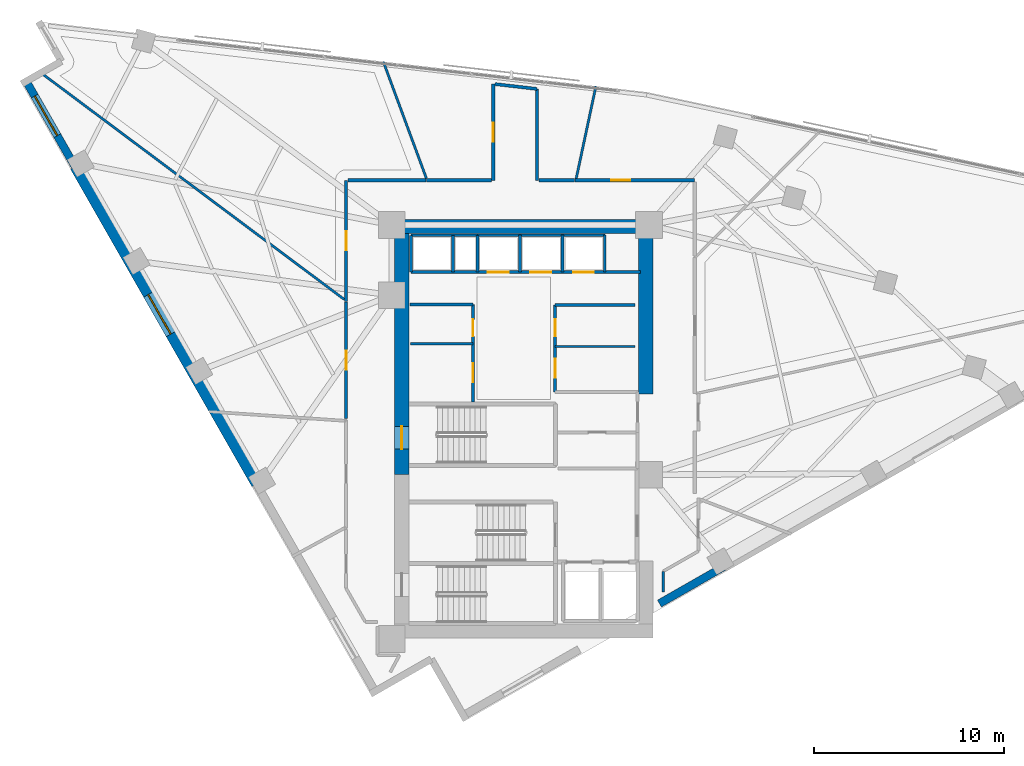
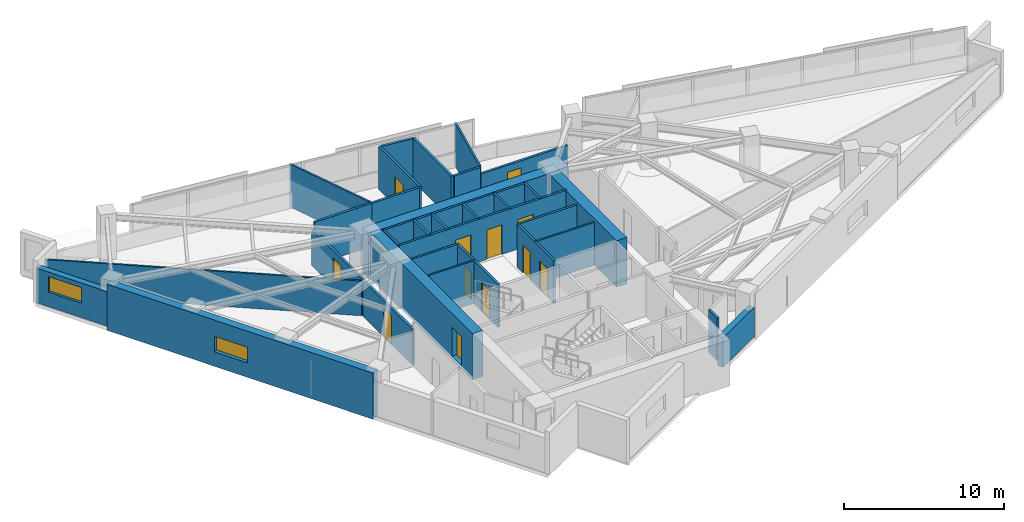
# One storey, part 10 of 13: 34 walls, 12 doors, 2 windows, 14 openings.
"""IFC4 building model written with IfcOpenShell, lengths in metres."""

from ifc_helpers import new_model, si_unit, direction, frame, frame_2d, origin, place, context, subcontext, project, spatial, rectangle, extrude, material, layer, layer_set, type_object, element, fill, save


model = new_model("IFC4")

# Units and contexts
model_context = context("Model", 3, precision=1e-05, world=origin(), true_north=direction((0.0, 1.0)))
body_context = subcontext(model_context, "Body", "Model", "MODEL_VIEW")
ifc_project = project(units=[si_unit("LENGTHUNIT", "METRE"), si_unit("AREAUNIT", "SQUARE_METRE"), si_unit("VOLUMEUNIT", "CUBIC_METRE"), si_unit("PLANEANGLEUNIT", "RADIAN"), si_unit("MASSUNIT", "GRAM", prefix="KILO")], contexts=[model_context])

# Site, building, storey
site_placement = place(None, origin())
site = spatial("IfcSite", under=ifc_project, at=site_placement, CompositionType="ELEMENT")
building_placement = place(site_placement, origin())
building = spatial("IfcBuilding", under=site, at=building_placement, Name="Narakoshi Arena Tower", CompositionType="ELEMENT")
storey_placement = place(building_placement, frame((0.0, 0.0, 222.02001953125)))
storey = spatial("IfcBuildingStorey", under=building, at=storey_placement, Name="L60", CompositionType="ELEMENT", Elevation=222.02001953125)

# Wall, opening, door
ifc_material_1 = material(Name="Concrete C50/60", Category="concrete")
ifc_layer_1 = layer(ifc_material_1, 0.75)
ifc_layer_set_1 = layer_set([ifc_layer_1], Name="Concrete C50/60")
wall_type_1 = type_object("IfcWallType", Name="WL-CORE-750", PredefinedType="SHEAR", material=ifc_layer_set_1)
wall_1_placement = place(storey_placement, frame((72.52490234375, 43.35009765625, -0.260009765625), z_axis=(0.0, 0.0, 1.0), x_axis=(0.0, 1.0, 0.0)))
wall_1 = element("IfcWall", 1, at=wall_1_placement, inside=storey, type_object=wall_type_1, Name="L60 Main Core Shear Wall CW-MN-W", PredefinedType="SHEAR", context=body_context, shape_type="SweptSolid", body=[
    extrude(rectangle(XDim=12.699951171875, YDim=0.75, at=frame_2d((6.35009765625, 0.0))), origin(), (0.0, 0.0, 1.0), 3.52001953125),
])
opening_1_placement = place(wall_1_placement, frame((1.35009765625, 0.0, 0.260009765625)))
opening_1 = element("IfcOpeningElement", 2, at=opening_1_placement, cuts=wall_1, Name="Opening D-03", PredefinedType="OPENING", context=body_context, shape_type="SweptSolid", body=[
    extrude(rectangle(XDim=1.199951171875, YDim=2.199951171875, at=frame_2d((0.60009765625, 1.10009765625))), frame((0.0, 0.385009765625, 0.0), z_axis=(0.0, -1.0, 0.0), x_axis=(1.0, 0.0, 0.0)), (0.0, 0.0, 1.0), 0.77001953125),
])
ifc_material_2 = material(Name="Painted galvanized steel", Category="steel")
door_type_1 = type_object("IfcDoorType", Name="DR-STR-1200", OperationType="NOTDEFINED", PredefinedType="USERDEFINED", material=ifc_material_2)
door_1_placement = place(opening_1_placement, frame((1.199951171875, 0.0, 0.0), z_axis=(0.0, 0.0, 1.0), x_axis=(-1.0, 0.0, 0.0)))
door_1 = element("IfcDoor", 3, at=door_1_placement, inside=storey, type_object=door_type_1, Name="DR-L60-006", ObjectType="EXITDOOR", OperationType="SINGLE_SWING_LEFT", OverallHeight=2.199951171875, OverallWidth=1.199951171875, PredefinedType="USERDEFINED", context=body_context, shape_type="SweptSolid", body=[
    extrude(rectangle(XDim=1.199951171875, YDim=2.199951171875, at=frame_2d((0.60009765625, 1.10009765625))), frame((0.0, 0.02490234375, 0.0), z_axis=(0.0, -1.0, 0.0), x_axis=(1.0, 0.0, 0.0)), (0.0, 0.0, 1.0), 0.050048828125),
])
fill(opening_1, door_1)

# Walls
wall_2_placement = place(storey_placement, frame((72.0, 56.425048828125, -0.260009765625), z_axis=(0.0, 0.0, 1.0), x_axis=(1.0, 0.0, 0.0)))
element("IfcWall", 4, at=wall_2_placement, inside=storey, type_object=wall_type_1, Name="L60 Main Core Shear Wall CW-MN-N", PredefinedType="SHEAR", context=body_context, shape_type="SweptSolid", body=[
    extrude(rectangle(XDim=13.75, YDim=0.75, at=frame_2d((6.875, 0.0))), origin(), (0.0, 0.0, 1.0), 3.52001953125),
])
wall_3_placement = place(storey_placement, frame((85.375, 47.60009765625, -0.260009765625), z_axis=(0.0, 0.0, 1.0), x_axis=(0.0, 1.0, 0.0)))
element("IfcWall", 5, at=wall_3_placement, inside=storey, type_object=wall_type_1, Name="L60 Main Core Shear Wall CW-MN-E", PredefinedType="SHEAR", context=body_context, shape_type="SweptSolid", body=[
    extrude(rectangle(XDim=8.449951171875, YDim=0.75, at=frame_2d((4.22509765625, 0.0))), origin(), (0.0, 0.0, 1.0), 3.52001953125),
])

# Wall, opening, door
ifc_material_3 = material(Name="Gypsum plasterboard fire-rated partition")
ifc_layer_2 = layer(ifc_material_3, 0.1650390625)
ifc_layer_set_2 = layer_set([ifc_layer_2], Name="Gypsum plasterboard fire-rated partition")
wall_type_2 = type_object("IfcWallType", Name="WL-CORR-165", PredefinedType="PARTITIONING", material=ifc_layer_set_2)
wall_4_placement = place(storey_placement, frame((87.955322265625, 58.85546875, 0.0), z_axis=(0.0, 0.0, 1.0), x_axis=(-1.0, 0.0, 0.0)))
wall_4 = element("IfcWall", 6, at=wall_4_placement, inside=storey, type_object=wall_type_2, Name="L60 Corridor Partition 06-1", PredefinedType="PARTITIONING", context=body_context, shape_type="SweptSolid", body=[
    extrude(rectangle(XDim=6.2958984375, YDim=0.1650390625, at=frame_2d((3.14794921875, 0.0))), origin(), (0.0, 0.0, 1.0), 2.744873046875),
])
opening_2_placement = place(wall_4_placement, frame((3.38232421875, 0.0, 0.0)))
opening_2 = element("IfcOpeningElement", 7, at=opening_2_placement, cuts=wall_4, Name="Opening D-06", PredefinedType="OPENING", context=body_context, shape_type="SweptSolid", body=[
    extrude(rectangle(XDim=1.0, YDim=2.199951171875, at=frame_2d((0.5, 1.10009765625))), frame((0.0, 0.092529296875, 0.0), z_axis=(0.0, -1.0, 0.0), x_axis=(1.0, 0.0, 0.0)), (0.0, 0.0, 1.0), 0.18505859375),
])
ifc_material_4 = material(Name="Stained oak solid-core timber", Category="wood")
door_type_2 = type_object("IfcDoorType", Name="DR-OFF-1000", OperationType="NOTDEFINED", PredefinedType="DOOR", material=ifc_material_4)
door_2_placement = place(opening_2_placement, frame((1.0, 0.0, 0.0), z_axis=(0.0, 0.0, 1.0), x_axis=(-1.0, 0.0, 0.0)))
door_2 = element("IfcDoor", 8, at=door_2_placement, inside=storey, type_object=door_type_2, Name="DR-L60-021", OperationType="SINGLE_SWING_LEFT", OverallHeight=2.199951171875, OverallWidth=1.0, PredefinedType="DOOR", context=body_context, shape_type="SweptSolid", body=[
    extrude(rectangle(XDim=1.0, YDim=2.199951171875, at=frame_2d((0.5, 1.10009765625))), frame((0.0, 0.02490234375, 0.0), z_axis=(0.0, -1.0, 0.0), x_axis=(1.0, 0.0, 0.0)), (0.0, 0.0, 1.0), 0.050048828125),
])
fill(opening_2, door_2)

wall_5_placement = place(storey_placement, frame((77.35009765625, 63.930908203125, 0.0), z_axis=(0.0, 0.0, 1.0), x_axis=(0.0, -1.0, 0.0)))
wall_5 = element("IfcWall", 9, at=wall_5_placement, inside=storey, type_object=wall_type_2, Name="L60 Corridor Partition 07-1", PredefinedType="PARTITIONING", context=body_context, shape_type="SweptSolid", body=[
    extrude(rectangle(XDim=5.075439453125, YDim=0.1650390625, at=frame_2d((2.53759765625, 0.0))), origin(), (0.0, 0.0, 1.0), 3.260009765625),
])
opening_3_placement = place(wall_5_placement, frame((2.03759765625, 0.0, 0.0)))
opening_3 = element("IfcOpeningElement", 10, at=opening_3_placement, cuts=wall_5, Name="Opening D-06", PredefinedType="OPENING", context=body_context, shape_type="SweptSolid", body=[
    extrude(rectangle(XDim=1.0, YDim=2.199951171875, at=frame_2d((0.5, 1.10009765625))), frame((0.0, 0.092529296875, 0.0), z_axis=(0.0, -1.0, 0.0), x_axis=(1.0, 0.0, 0.0)), (0.0, 0.0, 1.0), 0.18505859375),
])
door_3_placement = place(opening_3_placement, frame((1.0, 0.0, 0.0), z_axis=(0.0, 0.0, 1.0), x_axis=(-1.0, 0.0, 0.0)))
door_3 = element("IfcDoor", 11, at=door_3_placement, inside=storey, type_object=door_type_2, Name="DR-L60-022", OperationType="SINGLE_SWING_RIGHT", OverallHeight=2.199951171875, OverallWidth=1.0, PredefinedType="DOOR", context=body_context, shape_type="SweptSolid", body=[
    extrude(rectangle(XDim=1.0, YDim=2.199951171875, at=frame_2d((0.5, 1.10009765625))), frame((0.0, 0.02490234375, 0.0), z_axis=(0.0, -1.0, 0.0), x_axis=(1.0, 0.0, 0.0)), (0.0, 0.0, 1.0), 0.050048828125),
])
fill(opening_3, door_3)

# Walls
wall_6_placement = place(storey_placement, frame((79.64990234375, 58.85546875, 0.0), z_axis=(0.0, 0.0, 1.0), x_axis=(0.0, 1.0, 0.0)))
element("IfcWall", 12, at=wall_6_placement, inside=storey, type_object=wall_type_2, Name="L60 Corridor Partition 07-2", PredefinedType="PARTITIONING", context=body_context, shape_type="SweptSolid", body=[
    extrude(rectangle(XDim=4.80908203125, YDim=0.1650390625, at=frame_2d((2.404541015625, 0.0))), origin(), (0.0, 0.0, 1.0), 3.260009765625),
])
wall_7_placement = place(storey_placement, frame((77.255615234375, 58.85546875, 0.0), z_axis=(0.0, 0.0, 1.0), x_axis=(-1.0, 0.0, 0.0)))
element("IfcWall", 13, at=wall_7_placement, inside=storey, type_object=wall_type_2, Name="L60 Corridor Partition 07-3", PredefinedType="PARTITIONING", context=body_context, shape_type="SweptSolid", body=[
    extrude(rectangle(XDim=3.426513671875, YDim=0.1650390625, at=frame_2d((1.71337890625, 0.0))), origin(), (0.0, 0.0, 1.0), 3.260009765625),
])
wall_8_placement = place(storey_placement, frame((79.64990234375, 63.66455078125, 0.0), z_axis=(0.0, 0.0, 1.0), x_axis=(-0.993362136032, 0.115028981987, 0.0)))
element("IfcWall", 14, at=wall_8_placement, inside=storey, type_object=wall_type_2, Name="L60 Corridor Partition 07-4", PredefinedType="PARTITIONING", context=body_context, shape_type="SweptSolid", body=[
    extrude(rectangle(XDim=2.219970703125, YDim=0.1650390625, at=frame_2d((1.10986328125, 0.0))), origin(), (0.0, 0.0, 1.0), 3.260009765625),
])
wall_9_placement = place(storey_placement, frame((81.635009765625, 58.85546875, 0.0), z_axis=(0.0, 0.0, 1.0), x_axis=(-1.0, 0.0, 0.0)))
element("IfcWall", 15, at=wall_9_placement, inside=storey, type_object=wall_type_2, Name="L60 Corridor Partition 07-5", PredefinedType="PARTITIONING", context=body_context, shape_type="SweptSolid", body=[
    extrude(rectangle(XDim=1.890625, YDim=0.1650390625, at=frame_2d((0.9453125, 0.0))), origin(), (0.0, 0.0, 1.0), 3.260009765625),
])

# Wall, opening, door
wall_10_placement = place(storey_placement, frame((69.594482421875, 58.85546875, 0.0), z_axis=(0.0, 0.0, 1.0), x_axis=(0.0, -1.0, 0.0)))
wall_10 = element("IfcWall", 16, at=wall_10_placement, inside=storey, type_object=wall_type_2, Name="L60 Corridor Partition 08-1", PredefinedType="PARTITIONING", context=body_context, shape_type="SweptSolid", body=[
    extrude(rectangle(XDim=6.386962890625, YDim=0.1650390625, at=frame_2d((3.193359375, 0.0))), origin(), (0.0, 0.0, 1.0), 2.744873046875),
])
opening_4_placement = place(wall_10_placement, frame((2.693603515625, 0.0, 0.0)))
opening_4 = element("IfcOpeningElement", 17, at=opening_4_placement, cuts=wall_10, Name="Opening D-06", PredefinedType="OPENING", context=body_context, shape_type="SweptSolid", body=[
    extrude(rectangle(XDim=1.0, YDim=2.199951171875, at=frame_2d((0.5, 1.10009765625))), frame((0.0, 0.092529296875, 0.0), z_axis=(0.0, -1.0, 0.0), x_axis=(1.0, 0.0, 0.0)), (0.0, 0.0, 1.0), 0.18505859375),
])
door_4_placement = place(opening_4_placement, frame((1.0, 0.0, 0.0), z_axis=(0.0, 0.0, 1.0), x_axis=(-1.0, 0.0, 0.0)))
door_4 = element("IfcDoor", 18, at=door_4_placement, inside=storey, type_object=door_type_2, Name="DR-L60-023", OperationType="SINGLE_SWING_LEFT", OverallHeight=2.199951171875, OverallWidth=1.0, PredefinedType="DOOR", context=body_context, shape_type="SweptSolid", body=[
    extrude(rectangle(XDim=1.0, YDim=2.199951171875, at=frame_2d((0.5, 1.10009765625))), frame((0.0, 0.02490234375, 0.0), z_axis=(0.0, -1.0, 0.0), x_axis=(1.0, 0.0, 0.0)), (0.0, 0.0, 1.0), 0.050048828125),
])
fill(opening_4, door_4)

# Wall
wall_11_placement = place(storey_placement, frame((73.8037109375, 58.85546875, 0.0), z_axis=(0.0, 0.0, 1.0), x_axis=(-1.0, 0.0, 0.0)))
element("IfcWall", 19, at=wall_11_placement, inside=storey, type_object=wall_type_2, Name="L60 Corridor Partition 08-2", PredefinedType="PARTITIONING", context=body_context, shape_type="SweptSolid", body=[
    extrude(rectangle(XDim=4.114501953125, YDim=0.1650390625, at=frame_2d((2.05712890625, 0.0))), origin(), (0.0, 0.0, 1.0), 3.260009765625),
])

# Wall, opening, door
wall_12_placement = place(storey_placement, frame((69.594482421875, 52.438720703125, 0.0), z_axis=(0.0, 0.0, 1.0), x_axis=(0.0, -1.0, 0.0)))
wall_12 = element("IfcWall", 20, at=wall_12_placement, inside=storey, type_object=wall_type_2, Name="L60 Corridor Partition 09-1", PredefinedType="PARTITIONING", context=body_context, shape_type="SweptSolid", body=[
    extrude(rectangle(XDim=6.1318359375, YDim=0.1650390625, at=frame_2d((3.06591796875, 0.0))), origin(), (0.0, 0.0, 1.0), 2.744873046875),
])
opening_5_placement = place(wall_12_placement, frame((2.56591796875, 0.0, 0.0)))
opening_5 = element("IfcOpeningElement", 21, at=opening_5_placement, cuts=wall_12, Name="Opening D-06", PredefinedType="OPENING", context=body_context, shape_type="SweptSolid", body=[
    extrude(rectangle(XDim=1.0, YDim=2.199951171875, at=frame_2d((0.5, 1.10009765625))), frame((0.0, 0.092529296875, 0.0), z_axis=(0.0, -1.0, 0.0), x_axis=(1.0, 0.0, 0.0)), (0.0, 0.0, 1.0), 0.18505859375),
])
door_5_placement = place(opening_5_placement, frame((1.0, 0.0, 0.0), z_axis=(0.0, 0.0, 1.0), x_axis=(-1.0, 0.0, 0.0)))
door_5 = element("IfcDoor", 22, at=door_5_placement, inside=storey, type_object=door_type_2, Name="DR-L60-024", OperationType="SINGLE_SWING_RIGHT", OverallHeight=2.199951171875, OverallWidth=1.0, PredefinedType="DOOR", context=body_context, shape_type="SweptSolid", body=[
    extrude(rectangle(XDim=1.0, YDim=2.199951171875, at=frame_2d((0.5, 1.10009765625))), frame((0.0, 0.02490234375, 0.0), z_axis=(0.0, -1.0, 0.0), x_axis=(1.0, 0.0, 0.0)), (0.0, 0.0, 1.0), 0.050048828125),
])
fill(opening_5, door_5)

# Wall, opening, window
ifc_layer_3 = layer(ifc_material_1, 0.550048828125)
ifc_layer_set_3 = layer_set([ifc_layer_3], Name="Concrete C50/60")
wall_type_3 = type_object("IfcWallType", Name="WL-LEG-550", PredefinedType="SHEAR", material=ifc_layer_set_3)
wall_13_placement = place(storey_placement, frame((55.3251953125, 59.5703125, -0.260009765625), z_axis=(0.0, 0.0, 1.0), x_axis=(0.496211351597, -0.868201759124, 0.0)))
wall_13 = element("IfcWall", 23, at=wall_13_placement, inside=storey, type_object=wall_type_3, Name="L60 Architectural Concrete Structural Wall LEGB-2", PredefinedType="SHEAR", context=body_context, shape_type="SweptSolid", body=[
    extrude(rectangle(XDim=19.242919921875, YDim=0.550048828125, at=frame_2d((9.62158203125, 0.0))), origin(), (0.0, 0.0, 1.0), 3.52001953125),
])
opening_6_placement = place(wall_13_placement, frame((7.7568359375, 0.0, 1.10009765625)))
opening_6 = element("IfcOpeningElement", 24, at=opening_6_placement, cuts=wall_13, Name="Opening WN-04", PredefinedType="OPENING", context=body_context, shape_type="SweptSolid", body=[
    extrude(rectangle(XDim=2.39990234375, YDim=1.199951171875, at=frame_2d((1.199951171875, 0.60009765625))), frame((0.0, 0.284912109375, 0.0), z_axis=(0.0, -1.0, 0.0), x_axis=(1.0, 0.0, 0.0)), (0.0, 0.0, 1.0), 0.570068359375),
])
ifc_material_5 = material(Name="Bronze-tinted low-E laminated glass", Category="glass")
window_type = type_object("IfcWindowType", Name="WIN-SLT-24x12", PartitioningType="SINGLE_PANEL", PredefinedType="WINDOW", material=ifc_material_5)
window_1_placement = place(opening_6_placement, origin())
window_1 = element("IfcWindow", 25, at=window_1_placement, inside=storey, type_object=window_type, Name="L60 LEGB2 Horizontal Slot Window 1", OverallHeight=1.199951171875, OverallWidth=2.39990234375, PartitioningType="SINGLE_PANEL", PredefinedType="WINDOW", context=body_context, shape_type="SweptSolid", body=[
    extrude(rectangle(XDim=2.39990234375, YDim=1.199951171875, at=frame_2d((1.199951171875, 0.60009765625))), frame((0.0, 0.030029296875, 0.0), z_axis=(0.0, -1.0, 0.0), x_axis=(1.0, 0.0, 0.0)), (0.0, 0.0, 1.0), 0.06005859375),
])
fill(opening_6, window_1)

# Walls
ifc_layer_4 = layer(ifc_material_3, 0.125)
ifc_layer_set_4 = layer_set([ifc_layer_4], Name="Gypsum plasterboard fire-rated partition")
wall_type_4 = type_object("IfcWallType", Name="WL-PART-125", PredefinedType="PARTITIONING", material=ifc_layer_set_4)
wall_14_placement = place(storey_placement, frame((73.0, 50.25, 0.0), z_axis=(0.0, 0.0, 1.0), x_axis=(1.0, 0.0, 0.0)))
element("IfcWall", 26, at=wall_14_placement, inside=storey, type_object=wall_type_4, Name="L60 Core Wall RCL-LR-D2", PredefinedType="PARTITIONING", context=body_context, shape_type="SweptSolid", body=[
    extrude(rectangle(XDim=3.280029296875, YDim=0.125, at=frame_2d((1.64013671875, 0.0))), origin(), (0.0, 0.0, 1.0), 3.260009765625),
])
wall_15_placement = place(storey_placement, frame((80.60009765625, 50.10009765625, 0.0), z_axis=(0.0, 0.0, 1.0), x_axis=(1.0, 0.0, 0.0)))
element("IfcWall", 27, at=wall_15_placement, inside=storey, type_object=wall_type_4, Name="L60 Core Wall RCL-MR-D", PredefinedType="PARTITIONING", context=body_context, shape_type="SweptSolid", body=[
    extrude(rectangle(XDim=4.219970703125, YDim=0.125, at=frame_2d((2.10986328125, 0.0))), origin(), (0.0, 0.0, 1.0), 3.260009765625),
])
wall_16_placement = place(storey_placement, frame((81.71630859375, 58.949951171875, 0.0), z_axis=(0.0, 0.0, 1.0), x_axis=(0.208518764306, 0.978018366357, 0.0)))
element("IfcWall", 28, at=wall_16_placement, inside=storey, type_object=wall_type_4, Name="L60 Inter-Room Partition 06-07", PredefinedType="PARTITIONING", context=body_context, shape_type="SweptSolid", body=[
    extrude(rectangle(XDim=4.9677734375, YDim=0.125, at=frame_2d((2.48388671875, 0.0))), origin(), (0.0, 0.0, 1.0), 3.260009765625),
])
wall_17_placement = place(storey_placement, frame((73.8291015625, 58.9482421875, 0.0), z_axis=(0.0, 0.0, 1.0), x_axis=(-0.346213904372, 0.93815560139, 0.0)))
element("IfcWall", 29, at=wall_17_placement, inside=storey, type_object=wall_type_4, Name="L60 Inter-Room Partition 07-08", PredefinedType="PARTITIONING", context=body_context, shape_type="SweptSolid", body=[
    extrude(rectangle(XDim=6.562255859375, YDim=0.125, at=frame_2d((3.28125, 0.0))), origin(), (0.0, 0.0, 1.0), 3.260009765625),
])
wall_18_placement = place(storey_placement, frame((69.5, 52.583984375, 0.0), z_axis=(0.0, 0.0, 1.0), x_axis=(-0.801152350638, 0.598460450713, 0.0)))
element("IfcWall", 30, at=wall_18_placement, inside=storey, type_object=wall_type_4, Name="L60 Inter-Room Partition 08-09", PredefinedType="PARTITIONING", context=body_context, shape_type="SweptSolid", body=[
    extrude(rectangle(XDim=19.931884765625, YDim=0.125, at=frame_2d((9.9658203125, 0.0))), origin(), (0.0, 0.0, 1.0), 2.64501953125),
])
ifc_material_6 = material(Name="Precast concrete C45/55", Category="concrete")
ifc_layer_5 = layer(ifc_material_6, 0.419921875)
ifc_layer_set_5 = layer_set([ifc_layer_5], Name="Precast concrete C45/55")
wall_type_5 = type_object("IfcWallType", Name="WL-POD-420", PredefinedType="SOLIDWALL", material=ifc_layer_set_5)
wall_19_placement = place(storey_placement, frame((86.10009765625, 36.567626953125, 0.0), z_axis=(0.0, 0.0, 1.0), x_axis=(0.868192956745, 0.496226752461, 0.0)))
element("IfcWall", 31, at=wall_19_placement, inside=storey, type_object=wall_type_5, Name="L60 Architectural Concrete Facade Wall LEGA-2", PredefinedType="SOLIDWALL", context=body_context, shape_type="SweptSolid", body=[
    extrude(rectangle(XDim=3.89208984375, YDim=0.419921875, at=frame_2d((1.946044921875, 0.0))), origin(), (0.0, 0.0, 1.0), 2.244873046875),
])

# Wall, opening, window
wall_20_placement = place(storey_placement, frame((52.75439453125, 64.068359375, 0.0), z_axis=(0.0, 0.0, 1.0), x_axis=(0.496209984367, -0.868202540548, 0.0)))
wall_20 = element("IfcWall", 32, at=wall_20_placement, inside=storey, type_object=wall_type_5, Name="L60 Architectural Concrete Facade Wall LEGB-1", PredefinedType="SOLIDWALL", context=body_context, shape_type="SweptSolid", body=[
    extrude(rectangle(XDim=5.180908203125, YDim=0.419921875, at=frame_2d((2.59033203125, 0.0))), origin(), (0.0, 0.0, 1.0), 2.64501953125),
])
opening_7_placement = place(wall_20_placement, frame((0.89990234375, 0.0, 1.10009765625)))
opening_7 = element("IfcOpeningElement", 33, at=opening_7_placement, cuts=wall_20, Name="Opening WN-04", PredefinedType="OPENING", context=body_context, shape_type="SweptSolid", body=[
    extrude(rectangle(XDim=2.39990234375, YDim=1.199951171875, at=frame_2d((1.199951171875, 0.60009765625))), frame((0.0, 0.219970703125, 0.0), z_axis=(0.0, -1.0, 0.0), x_axis=(1.0, 0.0, 0.0)), (0.0, 0.0, 1.0), 0.43994140625),
])
window_2_placement = place(opening_7_placement, origin())
window_2 = element("IfcWindow", 34, at=window_2_placement, inside=storey, type_object=window_type, Name="L60 LEGB1 Horizontal Slot Window 1", OverallHeight=1.199951171875, OverallWidth=2.39990234375, PartitioningType="SINGLE_PANEL", PredefinedType="WINDOW", context=body_context, shape_type="SweptSolid", body=[
    extrude(rectangle(XDim=2.39990234375, YDim=1.199951171875, at=frame_2d((1.199951171875, 0.60009765625))), frame((0.0, 0.030029296875, 0.0), z_axis=(0.0, -1.0, 0.0), x_axis=(1.0, 0.0, 0.0)), (0.0, 0.0, 1.0), 0.06005859375),
])
fill(opening_7, window_2)

# Walls
ifc_material_7 = material(Name="Concrete C40/50", Category="concrete")
ifc_layer_6 = layer(ifc_material_7, 0.280029296875)
ifc_layer_set_6 = layer_set([ifc_layer_6], Name="Concrete C40/50")
wall_type_6 = type_object("IfcWallType", Name="WL-RISER-280", PredefinedType="PLUMBINGWALL", material=ifc_layer_set_6)
for number, where, z_axis, x_axis, name in (
    (35, (73.02001953125, 54.02001953125, 0.0), (0.0, 0.0, 1.0), (0.0, 1.0, 0.0), "L60 Core Wall OBS-W"),
    (36, (75.219970703125, 54.02001953125, 0.0), (0.0, 0.0, 1.0), (0.0, 1.0, 0.0), "L60 Core Wall OBS-M"),
):
    element("IfcWall", number, at=place(storey_placement, frame(where, z_axis=z_axis, x_axis=x_axis)), inside=storey, type_object=wall_type_6, Name=name, PredefinedType="PLUMBINGWALL", context=body_context, shape_type="SweptSolid", body=[
        extrude(rectangle(XDim=1.93994140625, YDim=0.14990234375, at=frame_2d((0.969970703125, 0.0))), origin(), (0.0, 0.0, 1.0), 3.260009765625),
    ])
for number, where, z_axis, x_axis, name in (
    (37, (78.75, 54.02001953125, 0.0), (0.0, 0.0, 1.0), (0.0, 1.0, 0.0), "L60 Core Wall HR-D1"),
    (38, (81.0, 54.02001953125, 0.0), (0.0, 0.0, 1.0), (0.0, 1.0, 0.0), "L60 Core Wall HR-D2"),
):
    element("IfcWall", number, at=place(storey_placement, frame(where, z_axis=z_axis, x_axis=x_axis)), inside=storey, type_object=wall_type_6, Name=name, PredefinedType="PLUMBINGWALL", context=body_context, shape_type="SweptSolid", body=[
        extrude(rectangle(XDim=1.9599609375, YDim=0.14990234375, at=frame_2d((0.97998046875, 0.0))), origin(), (0.0, 0.0, 1.0), 3.260009765625),
    ])

# Wall, openings, doors
ifc_layer_7 = layer(ifc_material_1, 0.35009765625)
ifc_layer_set_7 = layer_set([ifc_layer_7], Name="Concrete C50/60")
wall_type_7 = type_object("IfcWallType", Name="WL-SHAFT-350", PredefinedType="SOLIDWALL", material=ifc_layer_set_7)
wall_21_placement = place(storey_placement, frame((76.280029296875, 47.179931640625, 0.0), z_axis=(0.0, 0.0, 1.0), x_axis=(0.0, 1.0, 0.0)))
wall_21 = element("IfcWall", 39, at=wall_21_placement, inside=storey, type_object=wall_type_7, Name="L60 Core Wall LR-E", PredefinedType="SOLIDWALL", context=body_context, shape_type="SweptSolid", body=[
    extrude(rectangle(XDim=5.14013671875, YDim=0.159912109375, at=frame_2d((2.570068359375, 0.0))), origin(), (0.0, 0.0, 1.0), 3.260009765625),
])
opening_8_placement = place(wall_21_placement, frame((1.050048828125, 0.0, 0.0)))
opening_8 = element("IfcOpeningElement", 40, at=opening_8_placement, cuts=wall_21, Name="Opening D-06", PredefinedType="OPENING", context=body_context, shape_type="SweptSolid", body=[
    extrude(rectangle(XDim=1.0, YDim=2.199951171875, at=frame_2d((0.5, 1.10009765625))), frame((0.0, 0.08984375, 0.0), z_axis=(0.0, -1.0, 0.0), x_axis=(1.0, 0.0, 0.0)), (0.0, 0.0, 1.0), 0.179931640625),
])
opening_9_placement = place(wall_21_placement, frame((3.449951171875, 0.0, 0.0)))
opening_9 = element("IfcOpeningElement", 41, at=opening_9_placement, cuts=wall_21, Name="Opening D-08", PredefinedType="OPENING", context=body_context, shape_type="SweptSolid", body=[
    extrude(rectangle(XDim=0.89990234375, YDim=2.10009765625, at=frame_2d((0.449951171875, 1.050048828125))), frame((0.0, 0.08984375, 0.0), z_axis=(0.0, -1.0, 0.0), x_axis=(1.0, 0.0, 0.0)), (0.0, 0.0, 1.0), 0.179931640625),
])
door_6_placement = place(opening_8_placement, frame((1.0, 0.0, 0.0), z_axis=(0.0, 0.0, 1.0), x_axis=(-1.0, 0.0, 0.0)))
door_6 = element("IfcDoor", 42, at=door_6_placement, inside=storey, type_object=door_type_2, Name="DR-L60-009", OperationType="SINGLE_SWING_RIGHT", OverallHeight=2.199951171875, OverallWidth=1.0, PredefinedType="DOOR", context=body_context, shape_type="SweptSolid", body=[
    extrude(rectangle(XDim=1.0, YDim=2.199951171875, at=frame_2d((0.5, 1.10009765625))), frame((0.0, 0.02490234375, 0.0), z_axis=(0.0, -1.0, 0.0), x_axis=(1.0, 0.0, 0.0)), (0.0, 0.0, 1.0), 0.050048828125),
])
fill(opening_8, door_6)
ifc_material_8 = material(Name="Moisture-resistant laminate timber", Category="wood")
door_type_3 = type_object("IfcDoorType", Name="DR-WC-900", OperationType="NOTDEFINED", PredefinedType="DOOR", material=ifc_material_8)
door_7_placement = place(opening_9_placement, frame((0.89990234375, 0.0, 0.0), z_axis=(0.0, 0.0, 1.0), x_axis=(-1.0, 0.0, 0.0)))
door_7 = element("IfcDoor", 43, at=door_7_placement, inside=storey, type_object=door_type_3, Name="DR-L60-010", OperationType="SINGLE_SWING_LEFT", OverallHeight=2.10009765625, OverallWidth=0.89990234375, PredefinedType="DOOR", context=body_context, shape_type="SweptSolid", body=[
    extrude(rectangle(XDim=0.89990234375, YDim=2.10009765625, at=frame_2d((0.449951171875, 1.050048828125))), frame((0.0, 0.02490234375, 0.0), z_axis=(0.0, -1.0, 0.0), x_axis=(1.0, 0.0, 0.0)), (0.0, 0.0, 1.0), 0.050048828125),
])
fill(opening_9, door_7)

# Wall
wall_22_placement = place(storey_placement, frame((72.949951171875, 52.320068359375, 0.0), z_axis=(0.0, 0.0, 1.0), x_axis=(1.0, 0.0, 0.0)))
element("IfcWall", 44, at=wall_22_placement, inside=storey, type_object=wall_type_7, Name="L60 Core Wall LR-N", PredefinedType="SOLIDWALL", context=body_context, shape_type="SweptSolid", body=[
    extrude(rectangle(XDim=3.330078125, YDim=0.14990234375, at=frame_2d((1.6650390625, 0.0))), origin(), (0.0, 0.0, 1.0), 3.260009765625),
])

# Wall, openings, doors
wall_23_placement = place(storey_placement, frame((80.60009765625, 47.699951171875, 0.0), z_axis=(0.0, 0.0, 1.0), x_axis=(0.0, 1.0, 0.0)))
wall_23 = element("IfcWall", 45, at=wall_23_placement, inside=storey, type_object=wall_type_7, Name="L60 Core Wall MR-W", PredefinedType="SOLIDWALL", context=body_context, shape_type="SweptSolid", body=[
    extrude(rectangle(XDim=4.60009765625, YDim=0.159912109375, at=frame_2d((2.300048828125, 0.0))), origin(), (0.0, 0.0, 1.0), 3.260009765625),
])
opening_10_placement = place(wall_23_placement, frame((0.75, 0.0, 0.0)))
opening_10 = element("IfcOpeningElement", 46, at=opening_10_placement, cuts=wall_23, Name="Opening D-06", PredefinedType="OPENING", context=body_context, shape_type="SweptSolid", body=[
    extrude(rectangle(XDim=1.0, YDim=2.199951171875, at=frame_2d((0.5, 1.10009765625))), frame((0.0, 0.08984375, 0.0), z_axis=(0.0, -1.0, 0.0), x_axis=(1.0, 0.0, 0.0)), (0.0, 0.0, 1.0), 0.179931640625),
])
opening_11_placement = place(wall_23_placement, frame((2.949951171875, 0.0, 0.0)))
opening_11 = element("IfcOpeningElement", 47, at=opening_11_placement, cuts=wall_23, Name="Opening D-08", PredefinedType="OPENING", context=body_context, shape_type="SweptSolid", body=[
    extrude(rectangle(XDim=0.89990234375, YDim=2.10009765625, at=frame_2d((0.449951171875, 1.050048828125))), frame((0.0, 0.08984375, 0.0), z_axis=(0.0, -1.0, 0.0), x_axis=(1.0, 0.0, 0.0)), (0.0, 0.0, 1.0), 0.179931640625),
])
door_8_placement = place(opening_10_placement, origin())
door_8 = element("IfcDoor", 48, at=door_8_placement, inside=storey, type_object=door_type_2, Name="DR-L60-011", OperationType="SINGLE_SWING_RIGHT", OverallHeight=2.199951171875, OverallWidth=1.0, PredefinedType="DOOR", context=body_context, shape_type="SweptSolid", body=[
    extrude(rectangle(XDim=1.0, YDim=2.199951171875, at=frame_2d((0.5, 1.10009765625))), frame((0.0, 0.02490234375, 0.0), z_axis=(0.0, -1.0, 0.0), x_axis=(1.0, 0.0, 0.0)), (0.0, 0.0, 1.0), 0.050048828125),
])
fill(opening_10, door_8)
door_9_placement = place(opening_11_placement, origin())
door_9 = element("IfcDoor", 49, at=door_9_placement, inside=storey, type_object=door_type_3, Name="DR-L60-012", OperationType="SINGLE_SWING_LEFT", OverallHeight=2.10009765625, OverallWidth=0.89990234375, PredefinedType="DOOR", context=body_context, shape_type="SweptSolid", body=[
    extrude(rectangle(XDim=0.89990234375, YDim=2.10009765625, at=frame_2d((0.449951171875, 1.050048828125))), frame((0.0, 0.02490234375, 0.0), z_axis=(0.0, -1.0, 0.0), x_axis=(1.0, 0.0, 0.0)), (0.0, 0.0, 1.0), 0.050048828125),
])
fill(opening_11, door_9)

# Wall
wall_24_placement = place(storey_placement, frame((80.60009765625, 52.300048828125, 0.0), z_axis=(0.0, 0.0, 1.0), x_axis=(1.0, 0.0, 0.0)))
element("IfcWall", 50, at=wall_24_placement, inside=storey, type_object=wall_type_7, Name="L60 Core Wall MR-N", PredefinedType="SOLIDWALL", context=body_context, shape_type="SweptSolid", body=[
    extrude(rectangle(XDim=4.219970703125, YDim=0.159912109375, at=frame_2d((2.10986328125, 0.0))), origin(), (0.0, 0.0, 1.0), 3.260009765625),
])

# Wall, openings, doors
wall_25_placement = place(storey_placement, frame((73.02001953125, 54.02001953125, 0.0), z_axis=(0.0, 0.0, 1.0), x_axis=(1.0, 0.0, 0.0)))
wall_25 = element("IfcWall", 51, at=wall_25_placement, inside=storey, type_object=wall_type_7, Name="L60 Core Wall NSHF-S", PredefinedType="SOLIDWALL", context=body_context, shape_type="SweptSolid", body=[
    extrude(rectangle(XDim=12.080078125, YDim=0.159912109375, at=frame_2d((6.0400390625, 0.0))), origin(), (0.0, 0.0, 1.0), 3.260009765625),
])
opening_12_placement = place(wall_25_placement, frame((4.030029296875, 0.0, 0.0)))
opening_12 = element("IfcOpeningElement", 52, at=opening_12_placement, cuts=wall_25, Name="Opening LD-01", PredefinedType="OPENING", context=body_context, shape_type="SweptSolid", body=[
    extrude(rectangle(XDim=1.10009765625, YDim=2.25, at=frame_2d((0.550048828125, 1.125))), frame((0.0, 0.08984375, 0.0), z_axis=(0.0, -1.0, 0.0), x_axis=(1.0, 0.0, 0.0)), (0.0, 0.0, 1.0), 0.179931640625),
])
opening_13_placement = place(wall_25_placement, frame((6.280029296875, 0.0, 0.0)))
opening_13 = element("IfcOpeningElement", 53, at=opening_13_placement, cuts=wall_25, Name="Opening LD-01", PredefinedType="OPENING", context=body_context, shape_type="SweptSolid", body=[
    extrude(rectangle(XDim=1.10009765625, YDim=2.25, at=frame_2d((0.550048828125, 1.125))), frame((0.0, 0.08984375, 0.0), z_axis=(0.0, -1.0, 0.0), x_axis=(1.0, 0.0, 0.0)), (0.0, 0.0, 1.0), 0.179931640625),
])
opening_14_placement = place(wall_25_placement, frame((8.530029296875, 0.0, 0.0)))
opening_14 = element("IfcOpeningElement", 54, at=opening_14_placement, cuts=wall_25, Name="Opening LD-01", PredefinedType="OPENING", context=body_context, shape_type="SweptSolid", body=[
    extrude(rectangle(XDim=1.10009765625, YDim=2.25, at=frame_2d((0.550048828125, 1.125))), frame((0.0, 0.08984375, 0.0), z_axis=(0.0, -1.0, 0.0), x_axis=(1.0, 0.0, 0.0)), (0.0, 0.0, 1.0), 0.179931640625),
])
ifc_material_9 = material(Name="Brushed bronze stainless steel", Category="steel")
door_type_4 = type_object("IfcDoorType", Name="DR-LFT-1100", OperationType="DOUBLE_DOOR_SLIDING", PredefinedType="DOOR", material=ifc_material_9)
door_10_placement = place(opening_12_placement, origin())
door_10 = element("IfcDoor", 55, at=door_10_placement, inside=storey, type_object=door_type_4, Name="DR-L60-013", OperationType="DOUBLE_DOOR_SLIDING", OverallHeight=2.25, OverallWidth=1.10009765625, PredefinedType="DOOR", context=body_context, shape_type="SweptSolid", body=[
    extrude(rectangle(XDim=1.10009765625, YDim=2.25, at=frame_2d((0.550048828125, 1.125))), frame((0.0, 0.02490234375, 0.0), z_axis=(0.0, -1.0, 0.0), x_axis=(1.0, 0.0, 0.0)), (0.0, 0.0, 1.0), 0.050048828125),
])
fill(opening_12, door_10)
door_11_placement = place(opening_13_placement, origin())
door_11 = element("IfcDoor", 56, at=door_11_placement, inside=storey, type_object=door_type_4, Name="DR-L60-014", OperationType="DOUBLE_DOOR_SLIDING", OverallHeight=2.25, OverallWidth=1.10009765625, PredefinedType="DOOR", context=body_context, shape_type="SweptSolid", body=[
    extrude(rectangle(XDim=1.10009765625, YDim=2.25, at=frame_2d((0.550048828125, 1.125))), frame((0.0, 0.02490234375, 0.0), z_axis=(0.0, -1.0, 0.0), x_axis=(1.0, 0.0, 0.0)), (0.0, 0.0, 1.0), 0.050048828125),
])
fill(opening_13, door_11)
door_12_placement = place(opening_14_placement, origin())
door_12 = element("IfcDoor", 57, at=door_12_placement, inside=storey, type_object=door_type_4, Name="DR-L60-015", OperationType="DOUBLE_DOOR_SLIDING", OverallHeight=2.25, OverallWidth=1.10009765625, PredefinedType="DOOR", context=body_context, shape_type="SweptSolid", body=[
    extrude(rectangle(XDim=1.10009765625, YDim=2.25, at=frame_2d((0.550048828125, 1.125))), frame((0.0, 0.02490234375, 0.0), z_axis=(0.0, -1.0, 0.0), x_axis=(1.0, 0.0, 0.0)), (0.0, 0.0, 1.0), 0.050048828125),
])
fill(opening_14, door_12)

# Walls
wall_26_placement = place(storey_placement, frame((73.02001953125, 55.9599609375, 0.0), z_axis=(0.0, 0.0, 1.0), x_axis=(1.0, 0.0, 0.0)))
element("IfcWall", 58, at=wall_26_placement, inside=storey, type_object=wall_type_7, Name="L60 Core Wall OBS-N", PredefinedType="SOLIDWALL", context=body_context, shape_type="SweptSolid", body=[
    extrude(rectangle(XDim=3.5, YDim=0.14990234375, at=frame_2d((1.75, 0.0))), origin(), (0.0, 0.0, 1.0), 3.260009765625),
])
wall_27_placement = place(storey_placement, frame((76.52001953125, 54.02001953125, 0.0), z_axis=(0.0, 0.0, 1.0), x_axis=(0.0, 1.0, 0.0)))
element("IfcWall", 59, at=wall_27_placement, inside=storey, type_object=wall_type_7, Name="L60 Core Wall OBS-E", PredefinedType="SOLIDWALL", context=body_context, shape_type="SweptSolid", body=[
    extrude(rectangle(XDim=1.93994140625, YDim=0.14990234375, at=frame_2d((0.969970703125, 0.0))), origin(), (0.0, 0.0, 1.0), 3.260009765625),
])
wall_28_placement = place(storey_placement, frame((83.219970703125, 54.02001953125, 0.0), z_axis=(0.0, 0.0, 1.0), x_axis=(0.0, 1.0, 0.0)))
element("IfcWall", 60, at=wall_28_placement, inside=storey, type_object=wall_type_7, Name="L60 Core Wall HR-E", PredefinedType="SOLIDWALL", context=body_context, shape_type="SweptSolid", body=[
    extrude(rectangle(XDim=1.9599609375, YDim=0.14990234375, at=frame_2d((0.97998046875, 0.0))), origin(), (0.0, 0.0, 1.0), 3.260009765625),
])
wall_29_placement = place(storey_placement, frame((76.52001953125, 55.9599609375, 0.0), z_axis=(0.0, 0.0, 1.0), x_axis=(1.0, 0.0, 0.0)))
element("IfcWall", 61, at=wall_29_placement, inside=storey, type_object=wall_type_7, Name="L60 Core Wall HR-N", PredefinedType="SOLIDWALL", context=body_context, shape_type="SweptSolid", body=[
    extrude(rectangle(XDim=6.699951171875, YDim=0.14990234375, at=frame_2d((3.35009765625, 0.0))), origin(), (0.0, 0.0, 1.0), 3.260009765625),
])
ifc_material_10 = material(Name="Moisture-resistant cement-board partition")
ifc_layer_8 = layer(ifc_material_10, 0.14501953125)
ifc_layer_set_8 = layer_set([ifc_layer_8], Name="Moisture-resistant cement-board partition")
wall_type_8 = type_object("IfcWallType", Name="WL-WET-145", PredefinedType="PARTITIONING", material=ifc_layer_set_8)
wall_30_placement = place(storey_placement, frame((86.300048828125, 37.17724609375, 0.0), z_axis=(0.0, 0.0, 1.0), x_axis=(0.0, 1.0, 0.0)))
element("IfcWall", 62, at=wall_30_placement, inside=storey, type_object=wall_type_8, Name="L60 Room Enclosure Partition 03-1", PredefinedType="PARTITIONING", context=body_context, shape_type="SweptSolid", body=[
    extrude(rectangle(XDim=1.08837890625, YDim=0.14501953125, at=frame_2d((0.544189453125, 0.0))), origin(), (0.0, 0.0, 1.0), 3.260009765625),
])

save(model, "model.ifc")
